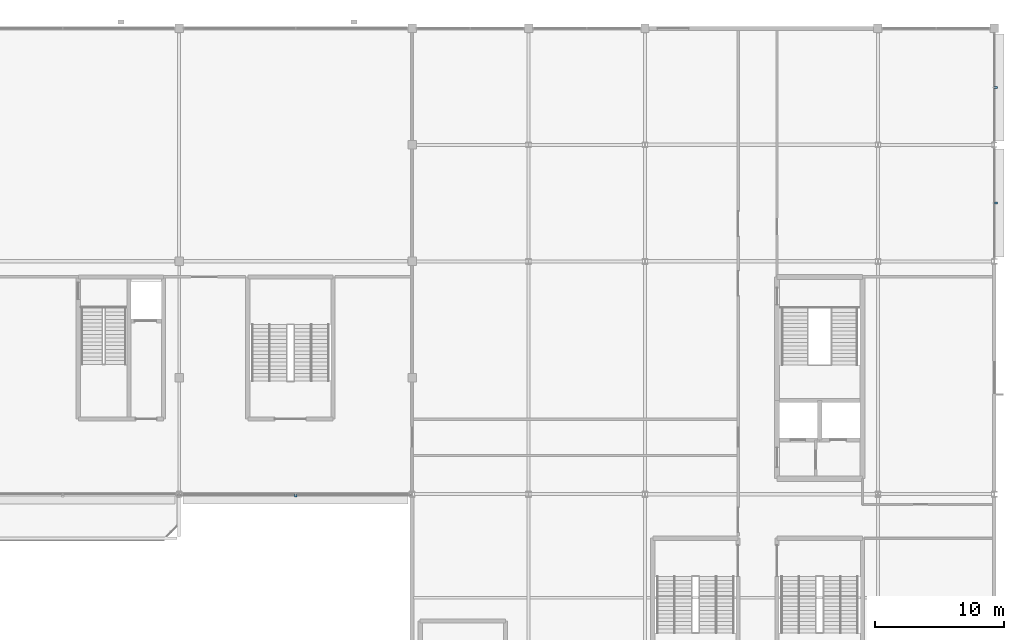
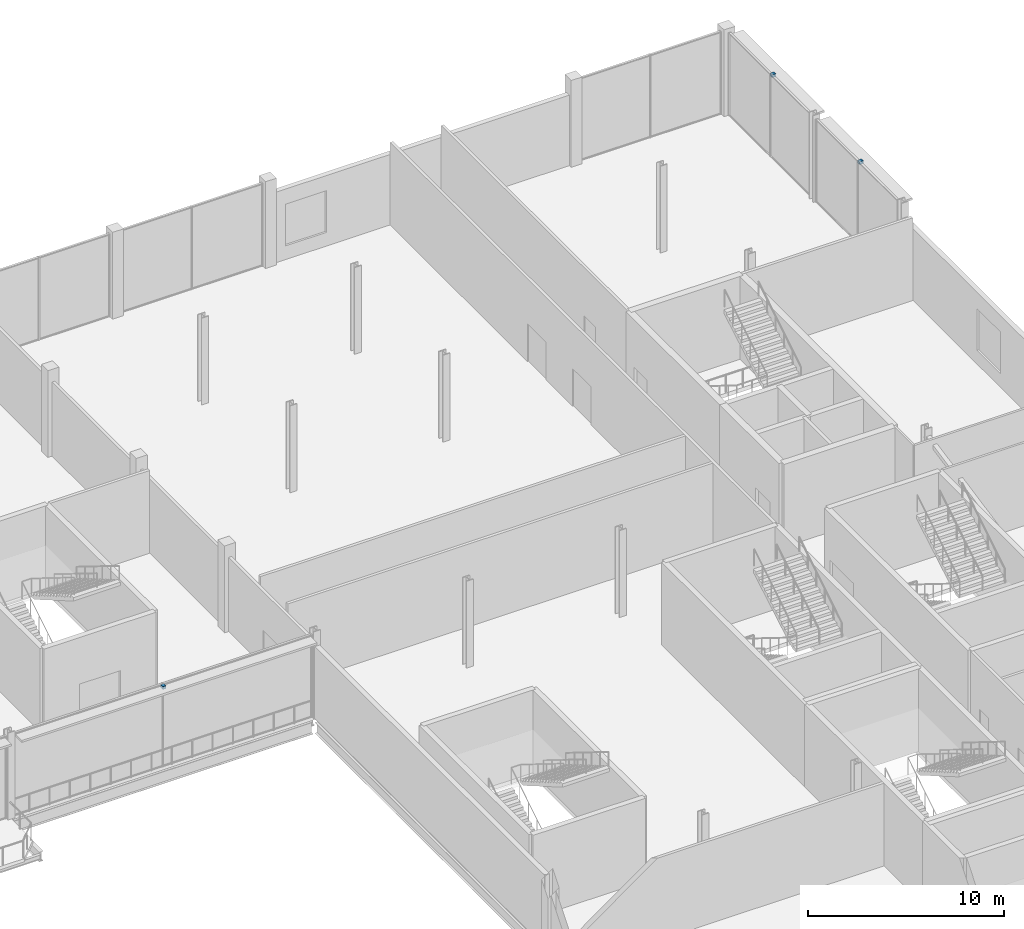
# One storey, part 79 of 113: 3 discrete accessories.
"""IFC4 building model written with IfcOpenShell, lengths in metres."""

from ifc_helpers import new_model, si_unit, direction, frame, origin, origin_2d, place, context, subcontext, project, spatial, rectangle, extrude, material, type_object, element, save


model = new_model("IFC4")

# Units and contexts
model_context = context("Model", 3, precision=1e-05, world=origin(), true_north=direction((0.0, 1.0)))
body_context = subcontext(model_context, "Body", "Model", "MODEL_VIEW")
ifc_project = project(units=[si_unit("LENGTHUNIT", "METRE"), si_unit("AREAUNIT", "SQUARE_METRE"), si_unit("VOLUMEUNIT", "CUBIC_METRE"), si_unit("PLANEANGLEUNIT", "RADIAN"), si_unit("MASSUNIT", "GRAM", prefix="KILO")], contexts=[model_context])

# Site, building, storey
site_placement = place(None, origin())
site = spatial("IfcSite", under=ifc_project, at=site_placement, CompositionType="ELEMENT")
building_placement = place(site_placement, origin())
building = spatial("IfcBuilding", under=site, at=building_placement, Name="Kisiwana Market Hall", CompositionType="ELEMENT")
storey_placement = place(building_placement, frame((0.0, 0.0, 6.0)))
storey = spatial("IfcBuildingStorey", under=building, at=storey_placement, Name="L01", CompositionType="ELEMENT", Elevation=6.0)

# Discrete accessories
ifc_material = material(Name="Steel S355", Category="steel")
discrete_accessory_type = type_object("IfcDiscreteAccessoryType", Name="ACC-BRACKET-STL", PredefinedType="BRACKET", material=ifc_material)
for number, where, z_axis, x_axis, name in (
    (1, (144.0, 83.889892578125, 4.93994140625), (0.0, 0.0, 1.0), (1.0, 0.0, 0.0), "Sunshade steel bracket BRK-024"),
    (2, (198.110107421875, 106.507080078125, 4.93994140625), (0.0, 0.0, 1.0), (0.0, 1.0, 0.0), "Sunshade steel bracket BRK-031"),
    (3, (198.110107421875, 115.439208984375, 4.93994140625), (0.0, 0.0, 1.0), (0.0, 1.0, 0.0), "Sunshade steel bracket BRK-032"),
):
    element("IfcDiscreteAccessory", number, at=place(storey_placement, frame(where, z_axis=z_axis, x_axis=x_axis)), inside=storey, type_object=discrete_accessory_type, Name=name, PredefinedType="BRACKET", context=body_context, shape_type="SweptSolid", body=[
        extrude(rectangle(XDim=0.179931640625, YDim=0.239990234375, at=origin_2d()), origin(), (0.0, 0.0, 1.0), 0.179931640625),
    ])

save(model, "model.ifc")
